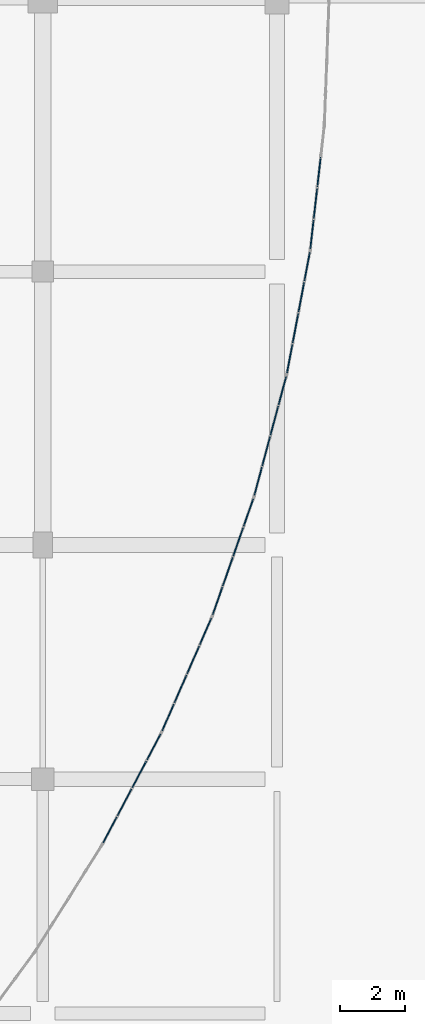
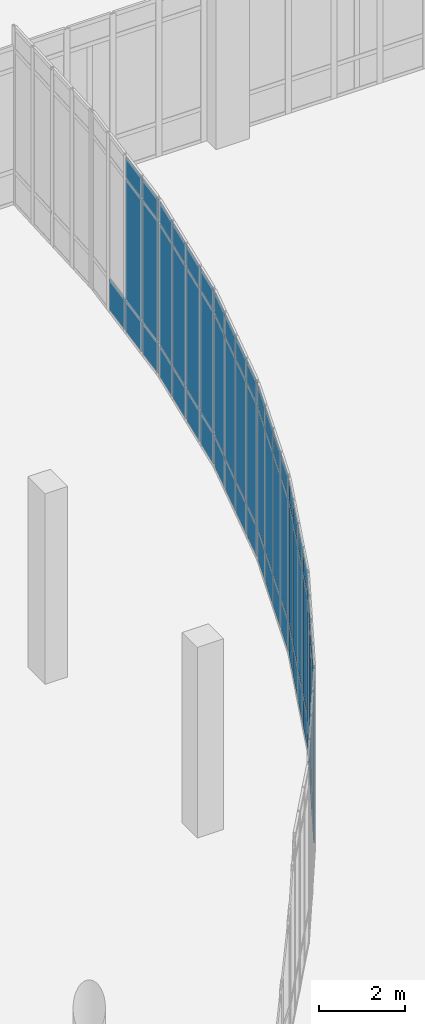
# One storey, part 83 of 110: 67 plates, 6 elements without a shape of their own.
"""IFC4 building model written with IfcOpenShell, lengths in metres."""

from ifc_helpers import new_model, si_unit, direction, frame, origin, origin_2d, place, context, subcontext, project, spatial, rectangle, extrude, material, layer, layer_set, type_object, element, aggregate, save


model = new_model("IFC4")

# Units and contexts
model_context = context("Model", 3, precision=1e-05, world=origin(), true_north=direction((0.0, 1.0)))
body_context = subcontext(model_context, "Body", "Model", "MODEL_VIEW")
ifc_project = project(units=[si_unit("LENGTHUNIT", "METRE"), si_unit("AREAUNIT", "SQUARE_METRE"), si_unit("VOLUMEUNIT", "CUBIC_METRE"), si_unit("PLANEANGLEUNIT", "RADIAN"), si_unit("MASSUNIT", "GRAM", prefix="KILO")], contexts=[model_context])

# Site, building, storey
site_placement = place(None, origin())
site = spatial("IfcSite", under=ifc_project, at=site_placement, CompositionType="ELEMENT")
building_placement = place(site_placement, origin())
building = spatial("IfcBuilding", under=site, at=building_placement, Name="Kalluvel Institute of Natural Sciences", CompositionType="ELEMENT")
storey_placement = place(building_placement, origin())
storey = spatial("IfcBuildingStorey", under=building, at=storey_placement, Name="L00", CompositionType="ELEMENT", Elevation=0.0)

# Curtain wall, plates
ifc_material_1 = material(Name="Aluminium AW-6063 T6", Category="aluminium")
curtain_wall_type = type_object("IfcCurtainWallType", Name="CW-ATR-L00", PredefinedType="USERDEFINED", material=ifc_material_1)
curtain_wall_1_placement = place(storey_placement, origin())
curtain_wall_1 = element("IfcCurtainWall", 1, at=curtain_wall_1_placement, inside=storey, type_object=curtain_wall_type, Name="L00 Gothic lancet curtain wall CWA-L00-X806-Y768", ObjectType="UNITISED LANCET FACADE", PredefinedType="USERDEFINED")
ifc_material_2 = material(Name="Solar-Control Low-E Laminated Glass", Category="glass")
ifc_layer = layer(ifc_material_2, 0.035888671875)
ifc_layer_set = layer_set([ifc_layer], Name="Solar-Control Low-E Laminated Glass")
plate_type = type_object("IfcPlateType", Name="CWP-DGU-36", PredefinedType="CURTAIN_PANEL", material=ifc_layer_set)
plate_1_placement = place(storey_placement, frame((80.867431640625, 77.242919921875, 0.06005859375), z_axis=(0.0, 0.0, 1.0), x_axis=(0.467281482432, 0.884108599764, 0.0)))
plate_1 = element("IfcPlate", 2, at=plate_1_placement, type_object=plate_type, Name="CW-06 panel 1.1", PredefinedType="CURTAIN_PANEL", context=body_context, shape_type="SweptSolid", body=[
    extrude(rectangle(XDim=0.882080078125, YDim=0.035888671875, at=origin_2d()), origin(), (0.0, 0.0, 1.0), 0.860107421875),
])
plate_2_placement = place(storey_placement, frame((80.867431640625, 77.242919921875, 0.97998046875), z_axis=(0.0, 0.0, 1.0), x_axis=(0.467281482432, 0.884108599764, 0.0)))
plate_2 = element("IfcPlate", 3, at=plate_2_placement, type_object=plate_type, Name="CW-06 panel 1.2", PredefinedType="CURTAIN_PANEL", context=body_context, shape_type="SweptSolid", body=[
    extrude(rectangle(XDim=0.882080078125, YDim=0.035888671875, at=origin_2d()), origin(), (0.0, 0.0, 1.0), 3.389892578125),
])
plate_3_placement = place(storey_placement, frame((80.867431640625, 77.242919921875, 4.429931640625), z_axis=(0.0, 0.0, 1.0), x_axis=(0.467281482432, 0.884108599764, 0.0)))
plate_3 = element("IfcPlate", 4, at=plate_3_placement, type_object=plate_type, Name="CW-06 panel 1.3", PredefinedType="CURTAIN_PANEL", context=body_context, shape_type="SweptSolid", body=[
    extrude(rectangle(XDim=0.882080078125, YDim=0.035888671875, at=origin_2d()), origin(), (0.0, 0.0, 1.0), 0.56005859375),
])
plate_4_placement = place(storey_placement, frame((81.314697265625, 78.08935546875, 0.06005859375), z_axis=(0.0, 0.0, 1.0), x_axis=(0.467281482432, 0.884108599764, 0.0)))
plate_4 = element("IfcPlate", 5, at=plate_4_placement, type_object=plate_type, Name="CW-06 panel 2.1", PredefinedType="CURTAIN_PANEL", context=body_context, shape_type="SweptSolid", body=[
    extrude(rectangle(XDim=0.912109375, YDim=0.035888671875, at=origin_2d()), origin(), (0.0, 0.0, 1.0), 0.860107421875),
])
plate_5_placement = place(storey_placement, frame((81.314697265625, 78.08935546875, 0.97998046875), z_axis=(0.0, 0.0, 1.0), x_axis=(0.467281482432, 0.884108599764, 0.0)))
plate_5 = element("IfcPlate", 6, at=plate_5_placement, type_object=plate_type, Name="CW-06 panel 2.2", PredefinedType="CURTAIN_PANEL", context=body_context, shape_type="SweptSolid", body=[
    extrude(rectangle(XDim=0.912109375, YDim=0.035888671875, at=origin_2d()), origin(), (0.0, 0.0, 1.0), 3.389892578125),
])
plate_6_placement = place(storey_placement, frame((81.314697265625, 78.08935546875, 4.429931640625), z_axis=(0.0, 0.0, 1.0), x_axis=(0.467281482432, 0.884108599764, 0.0)))
plate_6 = element("IfcPlate", 7, at=plate_6_placement, type_object=plate_type, Name="CW-06 panel 2.3", PredefinedType="CURTAIN_PANEL", context=body_context, shape_type="SweptSolid", body=[
    extrude(rectangle(XDim=0.912109375, YDim=0.035888671875, at=origin_2d()), origin(), (0.0, 0.0, 1.0), 0.56005859375),
])
plate_7_placement = place(storey_placement, frame((81.76904296875, 78.94873046875, 0.06005859375), z_axis=(0.0, 0.0, 1.0), x_axis=(0.467281482432, 0.884108599764, 0.0)))
plate_7 = element("IfcPlate", 8, at=plate_7_placement, type_object=plate_type, Name="CW-06 panel 3.1", PredefinedType="CURTAIN_PANEL", context=body_context, shape_type="SweptSolid", body=[
    extrude(rectangle(XDim=0.912109375, YDim=0.035888671875, at=origin_2d()), origin(), (0.0, 0.0, 1.0), 0.860107421875),
])
plate_8_placement = place(storey_placement, frame((81.76904296875, 78.94873046875, 0.97998046875), z_axis=(0.0, 0.0, 1.0), x_axis=(0.467281482432, 0.884108599764, 0.0)))
plate_8 = element("IfcPlate", 9, at=plate_8_placement, type_object=plate_type, Name="CW-06 panel 3.2", PredefinedType="CURTAIN_PANEL", context=body_context, shape_type="SweptSolid", body=[
    extrude(rectangle(XDim=0.912109375, YDim=0.035888671875, at=origin_2d()), origin(), (0.0, 0.0, 1.0), 3.389892578125),
])
plate_9_placement = place(storey_placement, frame((81.76904296875, 78.94873046875, 4.429931640625), z_axis=(0.0, 0.0, 1.0), x_axis=(0.467281482432, 0.884108599764, 0.0)))
plate_9 = element("IfcPlate", 10, at=plate_9_placement, type_object=plate_type, Name="CW-06 panel 3.3", PredefinedType="CURTAIN_PANEL", context=body_context, shape_type="SweptSolid", body=[
    extrude(rectangle(XDim=0.912109375, YDim=0.035888671875, at=origin_2d()), origin(), (0.0, 0.0, 1.0), 0.56005859375),
])
plate_10_placement = place(storey_placement, frame((82.21630859375, 79.794921875, 0.06005859375), z_axis=(0.0, 0.0, 1.0), x_axis=(0.467281482432, 0.884108599764, 0.0)))
plate_10 = element("IfcPlate", 11, at=plate_10_placement, type_object=plate_type, Name="CW-06 panel 4.1", PredefinedType="CURTAIN_PANEL", context=body_context, shape_type="SweptSolid", body=[
    extrude(rectangle(XDim=0.882080078125, YDim=0.035888671875, at=origin_2d()), origin(), (0.0, 0.0, 1.0), 0.860107421875),
])
plate_11_placement = place(storey_placement, frame((82.21630859375, 79.794921875, 0.97998046875), z_axis=(0.0, 0.0, 1.0), x_axis=(0.467281482432, 0.884108599764, 0.0)))
plate_11 = element("IfcPlate", 12, at=plate_11_placement, type_object=plate_type, Name="CW-06 panel 4.2", PredefinedType="CURTAIN_PANEL", context=body_context, shape_type="SweptSolid", body=[
    extrude(rectangle(XDim=0.882080078125, YDim=0.035888671875, at=origin_2d()), origin(), (0.0, 0.0, 1.0), 3.389892578125),
])
plate_12_placement = place(storey_placement, frame((82.21630859375, 79.794921875, 4.429931640625), z_axis=(0.0, 0.0, 1.0), x_axis=(0.467281482432, 0.884108599764, 0.0)))
plate_12 = element("IfcPlate", 13, at=plate_12_placement, type_object=plate_type, Name="CW-06 panel 4.3", PredefinedType="CURTAIN_PANEL", context=body_context, shape_type="SweptSolid", body=[
    extrude(rectangle(XDim=0.882080078125, YDim=0.035888671875, at=origin_2d()), origin(), (0.0, 0.0, 1.0), 0.56005859375),
])
aggregate(curtain_wall_1, [plate_1, plate_2, plate_3, plate_4, plate_5, plate_6, plate_7, plate_8, plate_9, plate_10, plate_11, plate_12])

curtain_wall_2_placement = place(storey_placement, origin())
curtain_wall_2 = element("IfcCurtainWall", 14, at=curtain_wall_2_placement, inside=storey, type_object=curtain_wall_type, Name="L00 Gothic lancet curtain wall CWA-L00-X825-Y802", ObjectType="UNITISED LANCET FACADE", PredefinedType="USERDEFINED")
plate_13_placement = place(storey_placement, frame((82.65087890625, 80.697265625, 0.06005859375), z_axis=(0.0, 0.0, 1.0), x_axis=(0.399872971829, 0.916570568151, 0.0)))
plate_13 = element("IfcPlate", 15, at=plate_13_placement, type_object=plate_type, Name="CW-06 panel 1.1", PredefinedType="CURTAIN_PANEL", context=body_context, shape_type="SweptSolid", body=[
    extrude(rectangle(XDim=0.882080078125, YDim=0.035888671875, at=origin_2d()), origin(), (0.0, 0.0, 1.0), 0.860107421875),
])
plate_14_placement = place(storey_placement, frame((82.65087890625, 80.697265625, 0.97998046875), z_axis=(0.0, 0.0, 1.0), x_axis=(0.399872971829, 0.916570568151, 0.0)))
plate_14 = element("IfcPlate", 16, at=plate_14_placement, type_object=plate_type, Name="CW-06 panel 1.2", PredefinedType="CURTAIN_PANEL", context=body_context, shape_type="SweptSolid", body=[
    extrude(rectangle(XDim=0.882080078125, YDim=0.035888671875, at=origin_2d()), origin(), (0.0, 0.0, 1.0), 3.389892578125),
])
plate_15_placement = place(storey_placement, frame((82.65087890625, 80.697265625, 4.429931640625), z_axis=(0.0, 0.0, 1.0), x_axis=(0.399872971829, 0.916570568151, 0.0)))
plate_15 = element("IfcPlate", 17, at=plate_15_placement, type_object=plate_type, Name="CW-06 panel 1.3", PredefinedType="CURTAIN_PANEL", context=body_context, shape_type="SweptSolid", body=[
    extrude(rectangle(XDim=0.882080078125, YDim=0.035888671875, at=origin_2d()), origin(), (0.0, 0.0, 1.0), 0.56005859375),
])
plate_16_placement = place(storey_placement, frame((83.033447265625, 81.57470703125, 0.06005859375), z_axis=(0.0, 0.0, 1.0), x_axis=(0.399872971829, 0.916570568151, 0.0)))
plate_16 = element("IfcPlate", 18, at=plate_16_placement, type_object=plate_type, Name="CW-06 panel 2.1", PredefinedType="CURTAIN_PANEL", context=body_context, shape_type="SweptSolid", body=[
    extrude(rectangle(XDim=0.912109375, YDim=0.035888671875, at=origin_2d()), origin(), (0.0, 0.0, 1.0), 0.860107421875),
])
plate_17_placement = place(storey_placement, frame((83.033447265625, 81.57470703125, 0.97998046875), z_axis=(0.0, 0.0, 1.0), x_axis=(0.399872971829, 0.916570568151, 0.0)))
plate_17 = element("IfcPlate", 19, at=plate_17_placement, type_object=plate_type, Name="CW-06 panel 2.2", PredefinedType="CURTAIN_PANEL", context=body_context, shape_type="SweptSolid", body=[
    extrude(rectangle(XDim=0.912109375, YDim=0.035888671875, at=origin_2d()), origin(), (0.0, 0.0, 1.0), 3.389892578125),
])
plate_18_placement = place(storey_placement, frame((83.033447265625, 81.57470703125, 4.429931640625), z_axis=(0.0, 0.0, 1.0), x_axis=(0.399872971829, 0.916570568151, 0.0)))
plate_18 = element("IfcPlate", 20, at=plate_18_placement, type_object=plate_type, Name="CW-06 panel 2.3", PredefinedType="CURTAIN_PANEL", context=body_context, shape_type="SweptSolid", body=[
    extrude(rectangle(XDim=0.912109375, YDim=0.035888671875, at=origin_2d()), origin(), (0.0, 0.0, 1.0), 0.56005859375),
])
plate_19_placement = place(storey_placement, frame((83.42236328125, 82.465576171875, 0.06005859375), z_axis=(0.0, 0.0, 1.0), x_axis=(0.399872971829, 0.916570568151, 0.0)))
plate_19 = element("IfcPlate", 21, at=plate_19_placement, type_object=plate_type, Name="CW-06 panel 3.1", PredefinedType="CURTAIN_PANEL", context=body_context, shape_type="SweptSolid", body=[
    extrude(rectangle(XDim=0.912109375, YDim=0.035888671875, at=origin_2d()), origin(), (0.0, 0.0, 1.0), 0.860107421875),
])
plate_20_placement = place(storey_placement, frame((83.42236328125, 82.465576171875, 0.97998046875), z_axis=(0.0, 0.0, 1.0), x_axis=(0.399872971829, 0.916570568151, 0.0)))
plate_20 = element("IfcPlate", 22, at=plate_20_placement, type_object=plate_type, Name="CW-06 panel 3.2", PredefinedType="CURTAIN_PANEL", context=body_context, shape_type="SweptSolid", body=[
    extrude(rectangle(XDim=0.912109375, YDim=0.035888671875, at=origin_2d()), origin(), (0.0, 0.0, 1.0), 3.389892578125),
])
plate_21_placement = place(storey_placement, frame((83.42236328125, 82.465576171875, 4.429931640625), z_axis=(0.0, 0.0, 1.0), x_axis=(0.399872971829, 0.916570568151, 0.0)))
plate_21 = element("IfcPlate", 23, at=plate_21_placement, type_object=plate_type, Name="CW-06 panel 3.3", PredefinedType="CURTAIN_PANEL", context=body_context, shape_type="SweptSolid", body=[
    extrude(rectangle(XDim=0.912109375, YDim=0.035888671875, at=origin_2d()), origin(), (0.0, 0.0, 1.0), 0.56005859375),
])
plate_22_placement = place(storey_placement, frame((83.804931640625, 83.343017578125, 0.06005859375), z_axis=(0.0, 0.0, 1.0), x_axis=(0.399872971829, 0.916570568151, 0.0)))
plate_22 = element("IfcPlate", 24, at=plate_22_placement, type_object=plate_type, Name="CW-06 panel 4.1", PredefinedType="CURTAIN_PANEL", context=body_context, shape_type="SweptSolid", body=[
    extrude(rectangle(XDim=0.882080078125, YDim=0.035888671875, at=origin_2d()), origin(), (0.0, 0.0, 1.0), 0.860107421875),
])
plate_23_placement = place(storey_placement, frame((83.804931640625, 83.343017578125, 0.97998046875), z_axis=(0.0, 0.0, 1.0), x_axis=(0.399872971829, 0.916570568151, 0.0)))
plate_23 = element("IfcPlate", 25, at=plate_23_placement, type_object=plate_type, Name="CW-06 panel 4.2", PredefinedType="CURTAIN_PANEL", context=body_context, shape_type="SweptSolid", body=[
    extrude(rectangle(XDim=0.882080078125, YDim=0.035888671875, at=origin_2d()), origin(), (0.0, 0.0, 1.0), 3.389892578125),
])
plate_24_placement = place(storey_placement, frame((83.804931640625, 83.343017578125, 4.429931640625), z_axis=(0.0, 0.0, 1.0), x_axis=(0.399872971829, 0.916570568151, 0.0)))
plate_24 = element("IfcPlate", 26, at=plate_24_placement, type_object=plate_type, Name="CW-06 panel 4.3", PredefinedType="CURTAIN_PANEL", context=body_context, shape_type="SweptSolid", body=[
    extrude(rectangle(XDim=0.882080078125, YDim=0.035888671875, at=origin_2d()), origin(), (0.0, 0.0, 1.0), 0.56005859375),
])
aggregate(curtain_wall_2, [plate_13, plate_14, plate_15, plate_16, plate_17, plate_18, plate_19, plate_20, plate_21, plate_22, plate_23, plate_24])

curtain_wall_3_placement = place(storey_placement, origin())
curtain_wall_3 = element("IfcCurtainWall", 27, at=curtain_wall_3_placement, inside=storey, type_object=curtain_wall_type, Name="L00 Gothic lancet curtain wall CWA-L00-X840-Y838", ObjectType="UNITISED LANCET FACADE", PredefinedType="USERDEFINED")
plate_25_placement = place(storey_placement, frame((84.1708984375, 84.275146484375, 0.06005859375), z_axis=(0.0, 0.0, 1.0), x_axis=(0.330295441321, 0.943877598761, 0.0)))
plate_25 = element("IfcPlate", 28, at=plate_25_placement, type_object=plate_type, Name="CW-06 panel 1.1", PredefinedType="CURTAIN_PANEL", context=body_context, shape_type="SweptSolid", body=[
    extrude(rectangle(XDim=0.882080078125, YDim=0.035888671875, at=origin_2d()), origin(), (0.0, 0.0, 1.0), 0.860107421875),
])
plate_26_placement = place(storey_placement, frame((84.1708984375, 84.275146484375, 0.97998046875), z_axis=(0.0, 0.0, 1.0), x_axis=(0.330295441321, 0.943877598761, 0.0)))
plate_26 = element("IfcPlate", 29, at=plate_26_placement, type_object=plate_type, Name="CW-06 panel 1.2", PredefinedType="CURTAIN_PANEL", context=body_context, shape_type="SweptSolid", body=[
    extrude(rectangle(XDim=0.882080078125, YDim=0.035888671875, at=origin_2d()), origin(), (0.0, 0.0, 1.0), 3.389892578125),
])
plate_27_placement = place(storey_placement, frame((84.1708984375, 84.275146484375, 4.429931640625), z_axis=(0.0, 0.0, 1.0), x_axis=(0.330295441321, 0.943877598761, 0.0)))
plate_27 = element("IfcPlate", 30, at=plate_27_placement, type_object=plate_type, Name="CW-06 panel 1.3", PredefinedType="CURTAIN_PANEL", context=body_context, shape_type="SweptSolid", body=[
    extrude(rectangle(XDim=0.882080078125, YDim=0.035888671875, at=origin_2d()), origin(), (0.0, 0.0, 1.0), 0.56005859375),
])
plate_28_placement = place(storey_placement, frame((84.487060546875, 85.1787109375, 0.06005859375), z_axis=(0.0, 0.0, 1.0), x_axis=(0.330295441321, 0.943877598761, 0.0)))
plate_28 = element("IfcPlate", 31, at=plate_28_placement, type_object=plate_type, Name="CW-06 panel 2.1", PredefinedType="CURTAIN_PANEL", context=body_context, shape_type="SweptSolid", body=[
    extrude(rectangle(XDim=0.912109375, YDim=0.035888671875, at=origin_2d()), origin(), (0.0, 0.0, 1.0), 0.860107421875),
])
plate_29_placement = place(storey_placement, frame((84.487060546875, 85.1787109375, 0.97998046875), z_axis=(0.0, 0.0, 1.0), x_axis=(0.330295441321, 0.943877598761, 0.0)))
plate_29 = element("IfcPlate", 32, at=plate_29_placement, type_object=plate_type, Name="CW-06 panel 2.2", PredefinedType="CURTAIN_PANEL", context=body_context, shape_type="SweptSolid", body=[
    extrude(rectangle(XDim=0.912109375, YDim=0.035888671875, at=origin_2d()), origin(), (0.0, 0.0, 1.0), 3.389892578125),
])
plate_30_placement = place(storey_placement, frame((84.487060546875, 85.1787109375, 4.429931640625), z_axis=(0.0, 0.0, 1.0), x_axis=(0.330295441321, 0.943877598761, 0.0)))
plate_30 = element("IfcPlate", 33, at=plate_30_placement, type_object=plate_type, Name="CW-06 panel 2.3", PredefinedType="CURTAIN_PANEL", context=body_context, shape_type="SweptSolid", body=[
    extrude(rectangle(XDim=0.912109375, YDim=0.035888671875, at=origin_2d()), origin(), (0.0, 0.0, 1.0), 0.56005859375),
])
plate_31_placement = place(storey_placement, frame((84.80810546875, 86.09619140625, 0.06005859375), z_axis=(0.0, 0.0, 1.0), x_axis=(0.330295441321, 0.943877598761, 0.0)))
plate_31 = element("IfcPlate", 34, at=plate_31_placement, type_object=plate_type, Name="CW-06 panel 3.1", PredefinedType="CURTAIN_PANEL", context=body_context, shape_type="SweptSolid", body=[
    extrude(rectangle(XDim=0.912109375, YDim=0.035888671875, at=origin_2d()), origin(), (0.0, 0.0, 1.0), 0.860107421875),
])
plate_32_placement = place(storey_placement, frame((84.80810546875, 86.09619140625, 0.97998046875), z_axis=(0.0, 0.0, 1.0), x_axis=(0.330295441321, 0.943877598761, 0.0)))
plate_32 = element("IfcPlate", 35, at=plate_32_placement, type_object=plate_type, Name="CW-06 panel 3.2", PredefinedType="CURTAIN_PANEL", context=body_context, shape_type="SweptSolid", body=[
    extrude(rectangle(XDim=0.912109375, YDim=0.035888671875, at=origin_2d()), origin(), (0.0, 0.0, 1.0), 3.389892578125),
])
plate_33_placement = place(storey_placement, frame((84.80810546875, 86.09619140625, 4.429931640625), z_axis=(0.0, 0.0, 1.0), x_axis=(0.330295441321, 0.943877598761, 0.0)))
plate_33 = element("IfcPlate", 36, at=plate_33_placement, type_object=plate_type, Name="CW-06 panel 3.3", PredefinedType="CURTAIN_PANEL", context=body_context, shape_type="SweptSolid", body=[
    extrude(rectangle(XDim=0.912109375, YDim=0.035888671875, at=origin_2d()), origin(), (0.0, 0.0, 1.0), 0.56005859375),
])
plate_34_placement = place(storey_placement, frame((85.124267578125, 86.999755859375, 0.06005859375), z_axis=(0.0, 0.0, 1.0), x_axis=(0.330295441321, 0.943877598761, 0.0)))
plate_34 = element("IfcPlate", 37, at=plate_34_placement, type_object=plate_type, Name="CW-06 panel 4.1", PredefinedType="CURTAIN_PANEL", context=body_context, shape_type="SweptSolid", body=[
    extrude(rectangle(XDim=0.882080078125, YDim=0.035888671875, at=origin_2d()), origin(), (0.0, 0.0, 1.0), 0.860107421875),
])
plate_35_placement = place(storey_placement, frame((85.124267578125, 86.999755859375, 0.97998046875), z_axis=(0.0, 0.0, 1.0), x_axis=(0.330295441321, 0.943877598761, 0.0)))
plate_35 = element("IfcPlate", 38, at=plate_35_placement, type_object=plate_type, Name="CW-06 panel 4.2", PredefinedType="CURTAIN_PANEL", context=body_context, shape_type="SweptSolid", body=[
    extrude(rectangle(XDim=0.882080078125, YDim=0.035888671875, at=origin_2d()), origin(), (0.0, 0.0, 1.0), 3.389892578125),
])
plate_36_placement = place(storey_placement, frame((85.124267578125, 86.999755859375, 4.429931640625), z_axis=(0.0, 0.0, 1.0), x_axis=(0.330295441321, 0.943877598761, 0.0)))
plate_36 = element("IfcPlate", 39, at=plate_36_placement, type_object=plate_type, Name="CW-06 panel 4.3", PredefinedType="CURTAIN_PANEL", context=body_context, shape_type="SweptSolid", body=[
    extrude(rectangle(XDim=0.882080078125, YDim=0.035888671875, at=origin_2d()), origin(), (0.0, 0.0, 1.0), 0.56005859375),
])
aggregate(curtain_wall_3, [plate_25, plate_26, plate_27, plate_28, plate_29, plate_30, plate_31, plate_32, plate_33, plate_34, plate_35, plate_36])

curtain_wall_4_placement = place(storey_placement, origin())
curtain_wall_4 = element("IfcCurtainWall", 40, at=curtain_wall_4_placement, inside=storey, type_object=curtain_wall_type, Name="L00 Gothic lancet curtain wall CWA-L00-X853-Y875", ObjectType="UNITISED LANCET FACADE", PredefinedType="USERDEFINED")
plate_37_placement = place(storey_placement, frame((85.41943359375, 87.956787109375, 0.06005859375), z_axis=(0.0, 0.0, 1.0), x_axis=(0.25882606142, 0.965923946245, 0.0)))
plate_37 = element("IfcPlate", 41, at=plate_37_placement, type_object=plate_type, Name="CW-06 panel 1.1", PredefinedType="CURTAIN_PANEL", context=body_context, shape_type="SweptSolid", body=[
    extrude(rectangle(XDim=0.882080078125, YDim=0.035888671875, at=origin_2d()), origin(), (0.0, 0.0, 1.0), 0.860107421875),
])
plate_38_placement = place(storey_placement, frame((85.41943359375, 87.956787109375, 0.97998046875), z_axis=(0.0, 0.0, 1.0), x_axis=(0.25882606142, 0.965923946245, 0.0)))
plate_38 = element("IfcPlate", 42, at=plate_38_placement, type_object=plate_type, Name="CW-06 panel 1.2", PredefinedType="CURTAIN_PANEL", context=body_context, shape_type="SweptSolid", body=[
    extrude(rectangle(XDim=0.882080078125, YDim=0.035888671875, at=origin_2d()), origin(), (0.0, 0.0, 1.0), 3.389892578125),
])
plate_39_placement = place(storey_placement, frame((85.41943359375, 87.956787109375, 4.429931640625), z_axis=(0.0, 0.0, 1.0), x_axis=(0.25882606142, 0.965923946245, 0.0)))
plate_39 = element("IfcPlate", 43, at=plate_39_placement, type_object=plate_type, Name="CW-06 panel 1.3", PredefinedType="CURTAIN_PANEL", context=body_context, shape_type="SweptSolid", body=[
    extrude(rectangle(XDim=0.882080078125, YDim=0.035888671875, at=origin_2d()), origin(), (0.0, 0.0, 1.0), 0.56005859375),
])
plate_40_placement = place(storey_placement, frame((85.667236328125, 88.88134765625, 0.06005859375), z_axis=(0.0, 0.0, 1.0), x_axis=(0.25882606142, 0.965923946245, 0.0)))
plate_40 = element("IfcPlate", 44, at=plate_40_placement, type_object=plate_type, Name="CW-06 panel 2.1", PredefinedType="CURTAIN_PANEL", context=body_context, shape_type="SweptSolid", body=[
    extrude(rectangle(XDim=0.912109375, YDim=0.035888671875, at=origin_2d()), origin(), (0.0, 0.0, 1.0), 0.860107421875),
])
plate_41_placement = place(storey_placement, frame((85.667236328125, 88.88134765625, 0.97998046875), z_axis=(0.0, 0.0, 1.0), x_axis=(0.25882606142, 0.965923946245, 0.0)))
plate_41 = element("IfcPlate", 45, at=plate_41_placement, type_object=plate_type, Name="CW-06 panel 2.2", PredefinedType="CURTAIN_PANEL", context=body_context, shape_type="SweptSolid", body=[
    extrude(rectangle(XDim=0.912109375, YDim=0.035888671875, at=origin_2d()), origin(), (0.0, 0.0, 1.0), 3.389892578125),
])
plate_42_placement = place(storey_placement, frame((85.667236328125, 88.88134765625, 4.429931640625), z_axis=(0.0, 0.0, 1.0), x_axis=(0.25882606142, 0.965923946245, 0.0)))
plate_42 = element("IfcPlate", 46, at=plate_42_placement, type_object=plate_type, Name="CW-06 panel 2.3", PredefinedType="CURTAIN_PANEL", context=body_context, shape_type="SweptSolid", body=[
    extrude(rectangle(XDim=0.912109375, YDim=0.035888671875, at=origin_2d()), origin(), (0.0, 0.0, 1.0), 0.56005859375),
])
plate_43_placement = place(storey_placement, frame((85.9189453125, 89.8203125, 0.06005859375), z_axis=(0.0, 0.0, 1.0), x_axis=(0.25882606142, 0.965923946245, 0.0)))
plate_43 = element("IfcPlate", 47, at=plate_43_placement, type_object=plate_type, Name="CW-06 panel 3.1", PredefinedType="CURTAIN_PANEL", context=body_context, shape_type="SweptSolid", body=[
    extrude(rectangle(XDim=0.912109375, YDim=0.035888671875, at=origin_2d()), origin(), (0.0, 0.0, 1.0), 0.860107421875),
])
plate_44_placement = place(storey_placement, frame((85.9189453125, 89.8203125, 0.97998046875), z_axis=(0.0, 0.0, 1.0), x_axis=(0.25882606142, 0.965923946245, 0.0)))
plate_44 = element("IfcPlate", 48, at=plate_44_placement, type_object=plate_type, Name="CW-06 panel 3.2", PredefinedType="CURTAIN_PANEL", context=body_context, shape_type="SweptSolid", body=[
    extrude(rectangle(XDim=0.912109375, YDim=0.035888671875, at=origin_2d()), origin(), (0.0, 0.0, 1.0), 3.389892578125),
])
plate_45_placement = place(storey_placement, frame((85.9189453125, 89.8203125, 4.429931640625), z_axis=(0.0, 0.0, 1.0), x_axis=(0.25882606142, 0.965923946245, 0.0)))
plate_45 = element("IfcPlate", 49, at=plate_45_placement, type_object=plate_type, Name="CW-06 panel 3.3", PredefinedType="CURTAIN_PANEL", context=body_context, shape_type="SweptSolid", body=[
    extrude(rectangle(XDim=0.912109375, YDim=0.035888671875, at=origin_2d()), origin(), (0.0, 0.0, 1.0), 0.56005859375),
])
plate_46_placement = place(storey_placement, frame((86.16650390625, 90.744873046875, 0.06005859375), z_axis=(0.0, 0.0, 1.0), x_axis=(0.25882606142, 0.965923946245, 0.0)))
plate_46 = element("IfcPlate", 50, at=plate_46_placement, type_object=plate_type, Name="CW-06 panel 4.1", PredefinedType="CURTAIN_PANEL", context=body_context, shape_type="SweptSolid", body=[
    extrude(rectangle(XDim=0.882080078125, YDim=0.035888671875, at=origin_2d()), origin(), (0.0, 0.0, 1.0), 0.860107421875),
])
plate_47_placement = place(storey_placement, frame((86.16650390625, 90.744873046875, 0.97998046875), z_axis=(0.0, 0.0, 1.0), x_axis=(0.25882606142, 0.965923946245, 0.0)))
plate_47 = element("IfcPlate", 51, at=plate_47_placement, type_object=plate_type, Name="CW-06 panel 4.2", PredefinedType="CURTAIN_PANEL", context=body_context, shape_type="SweptSolid", body=[
    extrude(rectangle(XDim=0.882080078125, YDim=0.035888671875, at=origin_2d()), origin(), (0.0, 0.0, 1.0), 3.389892578125),
])
plate_48_placement = place(storey_placement, frame((86.16650390625, 90.744873046875, 4.429931640625), z_axis=(0.0, 0.0, 1.0), x_axis=(0.25882606142, 0.965923946245, 0.0)))
plate_48 = element("IfcPlate", 52, at=plate_48_placement, type_object=plate_type, Name="CW-06 panel 4.3", PredefinedType="CURTAIN_PANEL", context=body_context, shape_type="SweptSolid", body=[
    extrude(rectangle(XDim=0.882080078125, YDim=0.035888671875, at=origin_2d()), origin(), (0.0, 0.0, 1.0), 0.56005859375),
])
aggregate(curtain_wall_4, [plate_37, plate_38, plate_39, plate_40, plate_41, plate_42, plate_43, plate_44, plate_45, plate_46, plate_47, plate_48])

curtain_wall_5_placement = place(storey_placement, origin())
curtain_wall_5 = element("IfcCurtainWall", 53, at=curtain_wall_5_placement, inside=storey, type_object=curtain_wall_type, Name="L00 Gothic lancet curtain wall CWA-L00-X863-Y912", ObjectType="UNITISED LANCET FACADE", PredefinedType="USERDEFINED")
plate_49_placement = place(storey_placement, frame((86.389404296875, 91.72119140625, 0.06005859375), z_axis=(0.0, 0.0, 1.0), x_axis=(0.185898378113, 0.982568976212, 0.0)))
plate_49 = element("IfcPlate", 54, at=plate_49_placement, type_object=plate_type, Name="CW-06 panel 1.1", PredefinedType="CURTAIN_PANEL", context=body_context, shape_type="SweptSolid", body=[
    extrude(rectangle(XDim=0.882080078125, YDim=0.035888671875, at=origin_2d()), origin(), (0.0, 0.0, 1.0), 0.860107421875),
])
plate_50_placement = place(storey_placement, frame((86.389404296875, 91.72119140625, 0.97998046875), z_axis=(0.0, 0.0, 1.0), x_axis=(0.185898378113, 0.982568976212, 0.0)))
plate_50 = element("IfcPlate", 55, at=plate_50_placement, type_object=plate_type, Name="CW-06 panel 1.2", PredefinedType="CURTAIN_PANEL", context=body_context, shape_type="SweptSolid", body=[
    extrude(rectangle(XDim=0.882080078125, YDim=0.035888671875, at=origin_2d()), origin(), (0.0, 0.0, 1.0), 3.389892578125),
])
plate_51_placement = place(storey_placement, frame((86.389404296875, 91.72119140625, 4.429931640625), z_axis=(0.0, 0.0, 1.0), x_axis=(0.185898378113, 0.982568976212, 0.0)))
plate_51 = element("IfcPlate", 56, at=plate_51_placement, type_object=plate_type, Name="CW-06 panel 1.3", PredefinedType="CURTAIN_PANEL", context=body_context, shape_type="SweptSolid", body=[
    extrude(rectangle(XDim=0.882080078125, YDim=0.035888671875, at=origin_2d()), origin(), (0.0, 0.0, 1.0), 0.56005859375),
])
plate_52_placement = place(storey_placement, frame((86.5673828125, 92.66162109375, 0.06005859375), z_axis=(0.0, 0.0, 1.0), x_axis=(0.185898378113, 0.982568976212, 0.0)))
plate_52 = element("IfcPlate", 57, at=plate_52_placement, type_object=plate_type, Name="CW-06 panel 2.1", PredefinedType="CURTAIN_PANEL", context=body_context, shape_type="SweptSolid", body=[
    extrude(rectangle(XDim=0.912109375, YDim=0.035888671875, at=origin_2d()), origin(), (0.0, 0.0, 1.0), 0.860107421875),
])
plate_53_placement = place(storey_placement, frame((86.5673828125, 92.66162109375, 0.97998046875), z_axis=(0.0, 0.0, 1.0), x_axis=(0.185898378113, 0.982568976212, 0.0)))
plate_53 = element("IfcPlate", 58, at=plate_53_placement, type_object=plate_type, Name="CW-06 panel 2.2", PredefinedType="CURTAIN_PANEL", context=body_context, shape_type="SweptSolid", body=[
    extrude(rectangle(XDim=0.912109375, YDim=0.035888671875, at=origin_2d()), origin(), (0.0, 0.0, 1.0), 3.389892578125),
])
plate_54_placement = place(storey_placement, frame((86.5673828125, 92.66162109375, 4.429931640625), z_axis=(0.0, 0.0, 1.0), x_axis=(0.185898378113, 0.982568976212, 0.0)))
plate_54 = element("IfcPlate", 59, at=plate_54_placement, type_object=plate_type, Name="CW-06 panel 2.3", PredefinedType="CURTAIN_PANEL", context=body_context, shape_type="SweptSolid", body=[
    extrude(rectangle(XDim=0.912109375, YDim=0.035888671875, at=origin_2d()), origin(), (0.0, 0.0, 1.0), 0.56005859375),
])
plate_55_placement = place(storey_placement, frame((86.748046875, 93.616943359375, 0.06005859375), z_axis=(0.0, 0.0, 1.0), x_axis=(0.185898378113, 0.982568976212, 0.0)))
plate_55 = element("IfcPlate", 60, at=plate_55_placement, type_object=plate_type, Name="CW-06 panel 3.1", PredefinedType="CURTAIN_PANEL", context=body_context, shape_type="SweptSolid", body=[
    extrude(rectangle(XDim=0.912109375, YDim=0.035888671875, at=origin_2d()), origin(), (0.0, 0.0, 1.0), 0.860107421875),
])
plate_56_placement = place(storey_placement, frame((86.748046875, 93.616943359375, 0.97998046875), z_axis=(0.0, 0.0, 1.0), x_axis=(0.185898378113, 0.982568976212, 0.0)))
plate_56 = element("IfcPlate", 61, at=plate_56_placement, type_object=plate_type, Name="CW-06 panel 3.2", PredefinedType="CURTAIN_PANEL", context=body_context, shape_type="SweptSolid", body=[
    extrude(rectangle(XDim=0.912109375, YDim=0.035888671875, at=origin_2d()), origin(), (0.0, 0.0, 1.0), 3.389892578125),
])
plate_57_placement = place(storey_placement, frame((86.748046875, 93.616943359375, 4.429931640625), z_axis=(0.0, 0.0, 1.0), x_axis=(0.185898378113, 0.982568976212, 0.0)))
plate_57 = element("IfcPlate", 62, at=plate_57_placement, type_object=plate_type, Name="CW-06 panel 3.3", PredefinedType="CURTAIN_PANEL", context=body_context, shape_type="SweptSolid", body=[
    extrude(rectangle(XDim=0.912109375, YDim=0.035888671875, at=origin_2d()), origin(), (0.0, 0.0, 1.0), 0.56005859375),
])
plate_58_placement = place(storey_placement, frame((86.926025390625, 94.557373046875, 0.06005859375), z_axis=(0.0, 0.0, 1.0), x_axis=(0.185898378113, 0.982568976212, 0.0)))
plate_58 = element("IfcPlate", 63, at=plate_58_placement, type_object=plate_type, Name="CW-06 panel 4.1", PredefinedType="CURTAIN_PANEL", context=body_context, shape_type="SweptSolid", body=[
    extrude(rectangle(XDim=0.882080078125, YDim=0.035888671875, at=origin_2d()), origin(), (0.0, 0.0, 1.0), 0.860107421875),
])
plate_59_placement = place(storey_placement, frame((86.926025390625, 94.557373046875, 0.97998046875), z_axis=(0.0, 0.0, 1.0), x_axis=(0.185898378113, 0.982568976212, 0.0)))
plate_59 = element("IfcPlate", 64, at=plate_59_placement, type_object=plate_type, Name="CW-06 panel 4.2", PredefinedType="CURTAIN_PANEL", context=body_context, shape_type="SweptSolid", body=[
    extrude(rectangle(XDim=0.882080078125, YDim=0.035888671875, at=origin_2d()), origin(), (0.0, 0.0, 1.0), 3.389892578125),
])
plate_60_placement = place(storey_placement, frame((86.926025390625, 94.557373046875, 4.429931640625), z_axis=(0.0, 0.0, 1.0), x_axis=(0.185898378113, 0.982568976212, 0.0)))
plate_60 = element("IfcPlate", 65, at=plate_60_placement, type_object=plate_type, Name="CW-06 panel 4.3", PredefinedType="CURTAIN_PANEL", context=body_context, shape_type="SweptSolid", body=[
    extrude(rectangle(XDim=0.882080078125, YDim=0.035888671875, at=origin_2d()), origin(), (0.0, 0.0, 1.0), 0.56005859375),
])
aggregate(curtain_wall_5, [plate_49, plate_50, plate_51, plate_52, plate_53, plate_54, plate_55, plate_56, plate_57, plate_58, plate_59, plate_60])

curtain_wall_6_placement = place(storey_placement, origin())
curtain_wall_6 = element("IfcCurtainWall", 66, at=curtain_wall_6_placement, inside=storey, type_object=curtain_wall_type, Name="L00 Gothic lancet curtain wall CWA-L00-X870-Y950", ObjectType="UNITISED LANCET FACADE", PredefinedType="USERDEFINED")
plate_61_placement = place(storey_placement, frame((87.0751953125, 95.5478515625, 0.06005859375), z_axis=(0.0, 0.0, 1.0), x_axis=(0.111966818808, 0.993711945931, 0.0)))
plate_61 = element("IfcPlate", 67, at=plate_61_placement, type_object=plate_type, Name="CW-06 panel 1.1", PredefinedType="CURTAIN_PANEL", context=body_context, shape_type="SweptSolid", body=[
    extrude(rectangle(XDim=0.882080078125, YDim=0.035888671875, at=origin_2d()), origin(), (0.0, 0.0, 1.0), 0.860107421875),
])
plate_62_placement = place(storey_placement, frame((87.0751953125, 95.5478515625, 0.97998046875), z_axis=(0.0, 0.0, 1.0), x_axis=(0.111966818808, 0.993711945931, 0.0)))
plate_62 = element("IfcPlate", 68, at=plate_62_placement, type_object=plate_type, Name="CW-06 panel 1.2", PredefinedType="CURTAIN_PANEL", context=body_context, shape_type="SweptSolid", body=[
    extrude(rectangle(XDim=0.882080078125, YDim=0.035888671875, at=origin_2d()), origin(), (0.0, 0.0, 1.0), 3.389892578125),
])
plate_63_placement = place(storey_placement, frame((87.0751953125, 95.5478515625, 4.429931640625), z_axis=(0.0, 0.0, 1.0), x_axis=(0.111966818808, 0.993711945931, 0.0)))
plate_63 = element("IfcPlate", 69, at=plate_63_placement, type_object=plate_type, Name="CW-06 panel 1.3", PredefinedType="CURTAIN_PANEL", context=body_context, shape_type="SweptSolid", body=[
    extrude(rectangle(XDim=0.882080078125, YDim=0.035888671875, at=origin_2d()), origin(), (0.0, 0.0, 1.0), 0.56005859375),
])
plate_64_placement = place(storey_placement, frame((87.182373046875, 96.498779296875, 0.06005859375), z_axis=(0.0, 0.0, 1.0), x_axis=(0.111966818808, 0.993711945931, 0.0)))
plate_64 = element("IfcPlate", 70, at=plate_64_placement, type_object=plate_type, Name="CW-06 panel 2.1", PredefinedType="CURTAIN_PANEL", context=body_context, shape_type="SweptSolid", body=[
    extrude(rectangle(XDim=0.912109375, YDim=0.035888671875, at=origin_2d()), origin(), (0.0, 0.0, 1.0), 0.860107421875),
])
plate_65_placement = place(storey_placement, frame((87.182373046875, 96.498779296875, 0.97998046875), z_axis=(0.0, 0.0, 1.0), x_axis=(0.111966818808, 0.993711945931, 0.0)))
plate_65 = element("IfcPlate", 71, at=plate_65_placement, type_object=plate_type, Name="CW-06 panel 2.2", PredefinedType="CURTAIN_PANEL", context=body_context, shape_type="SweptSolid", body=[
    extrude(rectangle(XDim=0.912109375, YDim=0.035888671875, at=origin_2d()), origin(), (0.0, 0.0, 1.0), 3.389892578125),
])
plate_66_placement = place(storey_placement, frame((87.182373046875, 96.498779296875, 4.429931640625), z_axis=(0.0, 0.0, 1.0), x_axis=(0.111966818808, 0.993711945931, 0.0)))
plate_66 = element("IfcPlate", 72, at=plate_66_placement, type_object=plate_type, Name="CW-06 panel 2.3", PredefinedType="CURTAIN_PANEL", context=body_context, shape_type="SweptSolid", body=[
    extrude(rectangle(XDim=0.912109375, YDim=0.035888671875, at=origin_2d()), origin(), (0.0, 0.0, 1.0), 0.56005859375),
])
plate_67_placement = place(storey_placement, frame((87.291259765625, 97.46484375, 0.06005859375), z_axis=(0.0, 0.0, 1.0), x_axis=(0.111966818808, 0.993711945931, 0.0)))
plate_67 = element("IfcPlate", 73, at=plate_67_placement, type_object=plate_type, Name="CW-06 panel 3.1", PredefinedType="CURTAIN_PANEL", context=body_context, shape_type="SweptSolid", body=[
    extrude(rectangle(XDim=0.912109375, YDim=0.035888671875, at=origin_2d()), origin(), (0.0, 0.0, 1.0), 0.860107421875),
])
aggregate(curtain_wall_6, [plate_61, plate_62, plate_63, plate_64, plate_65, plate_66, plate_67])

save(model, "model.ifc")
